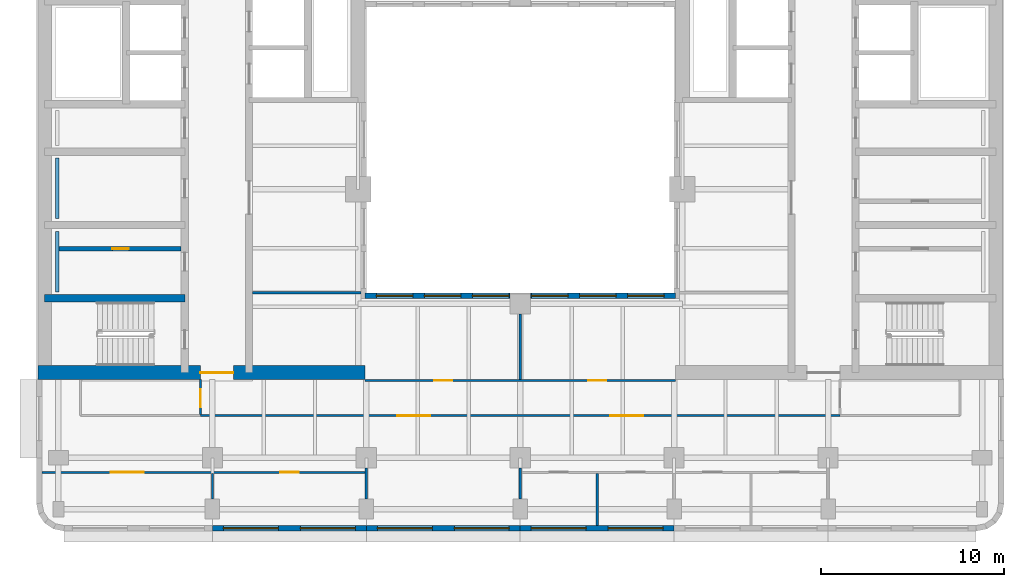
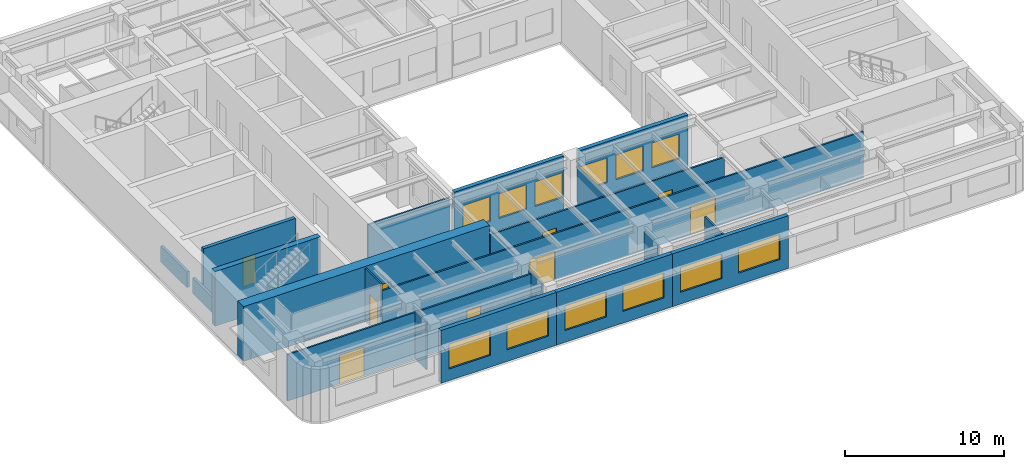
# One storey, part 3 of 11: 20 walls, 12 windows, 9 doors, 21 openings.
"""IFC4 building model written with IfcOpenShell, lengths in metres."""

from ifc_helpers import new_model, si_unit, direction, frame, frame_2d, origin, place, context, subcontext, project, spatial, rectangle, extrude, material, layer, layer_set, type_object, element, fill, save


model = new_model("IFC4")

# Units and contexts
model_context = context("Model", 3, precision=1e-05, world=origin(), true_north=direction((0.0, 1.0)))
body_context = subcontext(model_context, "Body", "Model", "MODEL_VIEW")
ifc_project = project(units=[si_unit("LENGTHUNIT", "METRE"), si_unit("AREAUNIT", "SQUARE_METRE"), si_unit("VOLUMEUNIT", "CUBIC_METRE"), si_unit("PLANEANGLEUNIT", "RADIAN"), si_unit("MASSUNIT", "GRAM", prefix="KILO")], contexts=[model_context])

# Site, building, storey
site_placement = place(None, origin())
site = spatial("IfcSite", under=ifc_project, at=site_placement, CompositionType="ELEMENT")
building_placement = place(site_placement, origin())
building = spatial("IfcBuilding", under=site, at=building_placement, Name="Claustro Exchange Tower", CompositionType="ELEMENT")
storey_placement = place(building_placement, frame((0.0, 0.0, 228.0)))
storey = spatial("IfcBuildingStorey", under=building, at=storey_placement, Name="L52", CompositionType="ELEMENT", Elevation=228.0)

# Wall
ifc_material_1 = material(Name="Laminated glass in aluminium frame", Category="aluminium")
ifc_layer_1 = layer(ifc_material_1, 0.1201171875)
ifc_layer_set_1 = layer_set([ifc_layer_1], Name="Laminated glass in aluminium frame")
wall_type_1 = type_object("IfcWallType", Name="P2 120 glazed partition", PredefinedType="PARTITIONING", material=ifc_layer_set_1)
wall_1_placement = place(storey_placement, frame((10.597900390625, 17.39990234375, 0.0), z_axis=(0.0, 0.0, 1.0), x_axis=(1.0, 0.0, 0.0)))
element("IfcWall", 1, at=wall_1_placement, inside=storey, type_object=wall_type_1, Name="Partition P2 L52", PredefinedType="PARTITIONING", context=body_context, shape_type="SweptSolid", body=[
    extrude(rectangle(XDim=5.904052734375, YDim=0.1201171875, at=frame_2d((2.9521484375, 0.0))), origin(), (0.0, 0.0, 1.0), 3.550048828125),
])

# Wall, openings, doors
wall_2_placement = place(storey_placement, frame((-0.902099609375, 7.60009765625, 0.0), z_axis=(0.0, 0.0, 1.0), x_axis=(1.0, 0.0, 0.0)))
wall_2 = element("IfcWall", 2, at=wall_2_placement, inside=storey, type_object=wall_type_1, Name="Partition P2 L52", PredefinedType="PARTITIONING", context=body_context, shape_type="SweptSolid", body=[
    extrude(rectangle(XDim=17.7021484375, YDim=0.1201171875, at=frame_2d((8.85107421875, 0.0))), origin(), (0.0, 0.0, 1.0), 3.56005859375),
])
opening_1_placement = place(wall_2_placement, frame((3.751953125, 0.0, 0.0)))
opening_1 = element("IfcOpeningElement", 3, at=opening_1_placement, cuts=wall_2, Name="Opening D2", PredefinedType="OPENING", context=body_context, shape_type="SweptSolid", body=[
    extrude(rectangle(XDim=1.800048828125, YDim=2.199951171875, at=frame_2d((0.89990234375, 1.10009765625))), frame((0.0, 0.070068359375, 0.0), z_axis=(0.0, -1.0, 0.0), x_axis=(1.0, 0.0, 0.0)), (0.0, 0.0, 1.0), 0.14013671875),
])
opening_2_placement = place(wall_2_placement, frame((13.001953125, 0.0, 0.0)))
opening_2 = element("IfcOpeningElement", 4, at=opening_2_placement, cuts=wall_2, Name="Opening D7", PredefinedType="OPENING", context=body_context, shape_type="SweptSolid", body=[
    extrude(rectangle(XDim=1.0, YDim=2.39990234375, at=frame_2d((0.5, 1.199951171875))), frame((0.0, 0.070068359375, 0.0), z_axis=(0.0, -1.0, 0.0), x_axis=(1.0, 0.0, 0.0)), (0.0, 0.0, 1.0), 0.14013671875),
])
ifc_material_2 = material(Name="Timber door, oak veneer", Category="wood")
door_type_1 = type_object("IfcDoorType", Name="D2 1800 x 2200 double door", OperationType="DOUBLE_DOOR_SINGLE_SWING", PredefinedType="DOOR", material=ifc_material_2)
door_1_placement = place(opening_1_placement, frame((1.800048828125, 0.0, 0.0), z_axis=(0.0, 0.0, 1.0), x_axis=(-1.0, 0.0, 0.0)))
door_1 = element("IfcDoor", 5, at=door_1_placement, inside=storey, type_object=door_type_1, Name="Double door D2 L52", OperationType="DOUBLE_DOOR_SINGLE_SWING", OverallHeight=2.199951171875, OverallWidth=1.800048828125, PredefinedType="DOOR", context=body_context, shape_type="SweptSolid", body=[
    extrude(rectangle(XDim=1.800048828125, YDim=2.199951171875, at=frame_2d((0.89990234375, 1.10009765625))), frame((0.0, 0.02490234375, 0.0), z_axis=(0.0, -1.0, 0.0), x_axis=(1.0, 0.0, 0.0)), (0.0, 0.0, 1.0), 0.050048828125),
])
fill(opening_1, door_1)
ifc_material_3 = material(Name="Glass door in aluminium frame", Category="aluminium")
door_type_2 = type_object("IfcDoorType", Name="D7 1000 x 2400 glazed door", OperationType="SINGLE_SWING_LEFT", PredefinedType="DOOR", material=ifc_material_3)
door_2_placement = place(opening_2_placement, frame((1.0, 0.0, 0.0), z_axis=(0.0, 0.0, 1.0), x_axis=(-1.0, 0.0, 0.0)))
door_2 = element("IfcDoor", 6, at=door_2_placement, inside=storey, type_object=door_type_2, Name="Door D7 L52", OperationType="SINGLE_SWING_RIGHT", OverallHeight=2.39990234375, OverallWidth=1.0, PredefinedType="DOOR", context=body_context, shape_type="SweptSolid", body=[
    extrude(rectangle(XDim=1.0, YDim=2.39990234375, at=frame_2d((0.5, 1.199951171875))), frame((0.0, 0.02490234375, 0.0), z_axis=(0.0, -1.0, 0.0), x_axis=(1.0, 0.0, 0.0)), (0.0, 0.0, 1.0), 0.050048828125),
])
fill(opening_2, door_2)

# Walls
wall_3_placement = place(storey_placement, frame((8.39990234375, 6.14892578125, 0.0), z_axis=(0.0, 0.0, 1.0), x_axis=(0.0, 1.0, 0.0)))
element("IfcWall", 7, at=wall_3_placement, inside=storey, type_object=wall_type_1, Name="Partition P2 L52", PredefinedType="PARTITIONING", context=body_context, shape_type="SweptSolid", body=[
    extrude(rectangle(XDim=1.39306640625, YDim=0.1201171875, at=frame_2d((0.696533203125, 0.0))), origin(), (0.0, 0.0, 1.0), 3.68994140625),
])
for number, where, z_axis, x_axis, name in (
    (8, (16.800048828125, 6.14892578125, 0.0), (0.0, 0.0, 1.0), (0.0, 1.0, 0.0), "Partition P2 L52"),
    (9, (25.199951171875, 6.14892578125, 0.0), (0.0, 0.0, 1.0), (0.0, 1.0, 0.0), "Partition P2 L52"),
):
    element("IfcWall", number, at=place(storey_placement, frame(where, z_axis=z_axis, x_axis=x_axis)), inside=storey, type_object=wall_type_1, Name=name, PredefinedType="PARTITIONING", context=body_context, shape_type="SweptSolid", body=[
        extrude(rectangle(XDim=1.703125, YDim=0.1201171875, at=frame_2d((0.8515625, 0.0))), origin(), (0.0, 0.0, 1.0), 3.68994140625),
    ])
wall_4_placement = place(storey_placement, frame((29.39990234375, 4.699951171875, 0.0), z_axis=(0.0, 0.0, 1.0), x_axis=(0.0, 1.0, 0.0)))
element("IfcWall", 10, at=wall_4_placement, inside=storey, type_object=wall_type_1, Name="Partition P2 L52", PredefinedType="PARTITIONING", context=body_context, shape_type="SweptSolid", body=[
    extrude(rectangle(XDim=2.842041015625, YDim=0.1201171875, at=frame_2d((1.4208984375, 0.0))), origin(), (0.0, 0.0, 1.0), 3.56005859375),
])

# Wall, openings, doors
wall_5_placement = place(storey_placement, frame((7.748046875, 10.699951171875, 0.0), z_axis=(0.0, 0.0, 1.0), x_axis=(1.0, 0.0, 0.0)))
wall_5 = element("IfcWall", 11, at=wall_5_placement, inside=storey, type_object=wall_type_1, Name="Partition P2 L52", PredefinedType="PARTITIONING", context=body_context, shape_type="SweptSolid", body=[
    extrude(rectangle(XDim=34.904052734375, YDim=0.1201171875, at=frame_2d((17.4521484375, 0.0))), origin(), (0.0, 0.0, 1.0), 3.550048828125),
])
opening_3_placement = place(wall_5_placement, frame((10.7353515625, 0.0, 0.0)))
opening_3 = element("IfcOpeningElement", 12, at=opening_3_placement, cuts=wall_5, Name="Opening D2", PredefinedType="OPENING", context=body_context, shape_type="SweptSolid", body=[
    extrude(rectangle(XDim=1.800048828125, YDim=2.199951171875, at=frame_2d((0.89990234375, 1.10009765625))), frame((0.0, 0.070068359375, 0.0), z_axis=(0.0, -1.0, 0.0), x_axis=(1.0, 0.0, 0.0)), (0.0, 0.0, 1.0), 0.14013671875),
])
opening_4_placement = place(wall_5_placement, frame((22.36865234375, 0.0, 0.0)))
opening_4 = element("IfcOpeningElement", 13, at=opening_4_placement, cuts=wall_5, Name="Opening D2", PredefinedType="OPENING", context=body_context, shape_type="SweptSolid", body=[
    extrude(rectangle(XDim=1.800048828125, YDim=2.199951171875, at=frame_2d((0.89990234375, 1.10009765625))), frame((0.0, 0.070068359375, 0.0), z_axis=(0.0, -1.0, 0.0), x_axis=(1.0, 0.0, 0.0)), (0.0, 0.0, 1.0), 0.14013671875),
])
door_3_placement = place(opening_3_placement, frame((1.800048828125, 0.0, 0.0), z_axis=(0.0, 0.0, 1.0), x_axis=(-1.0, 0.0, 0.0)))
door_3 = element("IfcDoor", 14, at=door_3_placement, inside=storey, type_object=door_type_1, Name="Double door D2 L52", OperationType="DOUBLE_DOOR_SINGLE_SWING", OverallHeight=2.199951171875, OverallWidth=1.800048828125, PredefinedType="DOOR", context=body_context, shape_type="SweptSolid", body=[
    extrude(rectangle(XDim=1.800048828125, YDim=2.199951171875, at=frame_2d((0.89990234375, 1.10009765625))), frame((0.0, 0.02490234375, 0.0), z_axis=(0.0, -1.0, 0.0), x_axis=(1.0, 0.0, 0.0)), (0.0, 0.0, 1.0), 0.050048828125),
])
fill(opening_3, door_3)
door_4_placement = place(opening_4_placement, frame((1.800048828125, 0.0, 0.0), z_axis=(0.0, 0.0, 1.0), x_axis=(-1.0, 0.0, 0.0)))
door_4 = element("IfcDoor", 15, at=door_4_placement, inside=storey, type_object=door_type_1, Name="Double door D2 L52", OperationType="DOUBLE_DOOR_SINGLE_SWING", OverallHeight=2.199951171875, OverallWidth=1.800048828125, PredefinedType="DOOR", context=body_context, shape_type="SweptSolid", body=[
    extrude(rectangle(XDim=1.800048828125, YDim=2.199951171875, at=frame_2d((0.89990234375, 1.10009765625))), frame((0.0, 0.02490234375, 0.0), z_axis=(0.0, -1.0, 0.0), x_axis=(1.0, 0.0, 0.0)), (0.0, 0.0, 1.0), 0.050048828125),
])
fill(opening_4, door_4)

# Wall, opening, door
wall_6_placement = place(storey_placement, frame((7.75, 10.758056640625, 0.0), z_axis=(0.0, 0.0, 1.0), x_axis=(0.0, 1.0, 0.0)))
wall_6 = element("IfcWall", 16, at=wall_6_placement, inside=storey, type_object=wall_type_1, Name="Partition P2 L52", PredefinedType="PARTITIONING", context=body_context, shape_type="SweptSolid", body=[
    extrude(rectangle(XDim=1.91796875, YDim=0.1201171875, at=frame_2d((0.958984375, 0.0))), origin(), (0.0, 0.0, 1.0), 4.050048828125),
])
opening_5_placement = place(wall_6_placement, frame((0.39208984375, 0.0, 0.0)))
opening_5 = element("IfcOpeningElement", 17, at=opening_5_placement, cuts=wall_6, Name="Opening D7", PredefinedType="OPENING", context=body_context, shape_type="SweptSolid", body=[
    extrude(rectangle(XDim=1.0, YDim=2.39990234375, at=frame_2d((0.5, 1.199951171875))), frame((0.0, 0.070068359375, 0.0), z_axis=(0.0, -1.0, 0.0), x_axis=(1.0, 0.0, 0.0)), (0.0, 0.0, 1.0), 0.14013671875),
])
door_5_placement = place(opening_5_placement, origin())
door_5 = element("IfcDoor", 18, at=door_5_placement, inside=storey, type_object=door_type_2, Name="Door D7 L52", OperationType="SINGLE_SWING_LEFT", OverallHeight=2.39990234375, OverallWidth=1.0, PredefinedType="DOOR", context=body_context, shape_type="SweptSolid", body=[
    extrude(rectangle(XDim=1.0, YDim=2.39990234375, at=frame_2d((0.5, 1.199951171875))), frame((0.0, 0.02490234375, 0.0), z_axis=(0.0, -1.0, 0.0), x_axis=(1.0, 0.0, 0.0)), (0.0, 0.0, 1.0), 0.050048828125),
])
fill(opening_5, door_5)

# Wall
wall_7_placement = place(storey_placement, frame((25.199951171875, 12.657958984375, 0.0), z_axis=(0.0, 0.0, 1.0), x_axis=(0.0, 1.0, 0.0)))
element("IfcWall", 19, at=wall_7_placement, inside=storey, type_object=wall_type_1, Name="Partition P2 L52", PredefinedType="PARTITIONING", context=body_context, shape_type="SweptSolid", body=[
    extrude(rectangle(XDim=3.593017578125, YDim=0.1201171875, at=frame_2d((1.79638671875, 0.0))), origin(), (0.0, 0.0, 1.0), 3.550048828125),
])

# Wall, openings, doors
wall_8_placement = place(storey_placement, frame((16.72509765625, 12.614990234375, 0.0), z_axis=(0.0, 0.0, 1.0), x_axis=(1.0, 0.0, 0.0)))
wall_8 = element("IfcWall", 20, at=wall_8_placement, inside=storey, type_object=wall_type_1, Name="Partition P2 L52", PredefinedType="PARTITIONING", context=body_context, shape_type="SweptSolid", body=[
    extrude(rectangle(XDim=16.949951171875, YDim=0.1201171875, at=frame_2d((8.47509765625, 0.0))), origin(), (0.0, 0.0, 1.0), 3.550048828125),
])
opening_6_placement = place(wall_8_placement, frame((3.77490234375, 0.0, 0.0)))
opening_6 = element("IfcOpeningElement", 21, at=opening_6_placement, cuts=wall_8, Name="Opening D7", PredefinedType="OPENING", context=body_context, shape_type="SweptSolid", body=[
    extrude(rectangle(XDim=1.0, YDim=2.39990234375, at=frame_2d((0.5, 1.199951171875))), frame((0.0, 0.070068359375, 0.0), z_axis=(0.0, -1.0, 0.0), x_axis=(1.0, 0.0, 0.0)), (0.0, 0.0, 1.0), 0.14013671875),
])
opening_7_placement = place(wall_8_placement, frame((12.175048828125, 0.0, 0.0)))
opening_7 = element("IfcOpeningElement", 22, at=opening_7_placement, cuts=wall_8, Name="Opening D7", PredefinedType="OPENING", context=body_context, shape_type="SweptSolid", body=[
    extrude(rectangle(XDim=1.0, YDim=2.39990234375, at=frame_2d((0.5, 1.199951171875))), frame((0.0, 0.070068359375, 0.0), z_axis=(0.0, -1.0, 0.0), x_axis=(1.0, 0.0, 0.0)), (0.0, 0.0, 1.0), 0.14013671875),
])
door_6_placement = place(opening_6_placement, origin())
door_6 = element("IfcDoor", 23, at=door_6_placement, inside=storey, type_object=door_type_2, Name="Door D7 L52", OperationType="SINGLE_SWING_RIGHT", OverallHeight=2.39990234375, OverallWidth=1.0, PredefinedType="DOOR", context=body_context, shape_type="SweptSolid", body=[
    extrude(rectangle(XDim=1.0, YDim=2.39990234375, at=frame_2d((0.5, 1.199951171875))), frame((0.0, 0.02490234375, 0.0), z_axis=(0.0, -1.0, 0.0), x_axis=(1.0, 0.0, 0.0)), (0.0, 0.0, 1.0), 0.050048828125),
])
fill(opening_6, door_6)
door_7_placement = place(opening_7_placement, origin())
door_7 = element("IfcDoor", 24, at=door_7_placement, inside=storey, type_object=door_type_2, Name="Door D7 L52", OperationType="SINGLE_SWING_RIGHT", OverallHeight=2.39990234375, OverallWidth=1.0, PredefinedType="DOOR", context=body_context, shape_type="SweptSolid", body=[
    extrude(rectangle(XDim=1.0, YDim=2.39990234375, at=frame_2d((0.5, 1.199951171875))), frame((0.0, 0.02490234375, 0.0), z_axis=(0.0, -1.0, 0.0), x_axis=(1.0, 0.0, 0.0)), (0.0, 0.0, 1.0), 0.050048828125),
])
fill(opening_7, door_7)

# Wall, opening, door
ifc_material_4 = material(Name="Concrete blockwork, rendered", Category="masonry")
ifc_layer_2 = layer(ifc_material_4, 0.25)
ifc_layer_set_2 = layer_set([ifc_layer_2], Name="Concrete blockwork, rendered")
wall_type_2 = type_object("IfcWallType", Name="P4 250 blockwork wall", PredefinedType="PARTITIONING", material=ifc_layer_set_2)
wall_9_placement = place(storey_placement, frame((0.02490234375, 19.800048828125, 0.0), z_axis=(0.0, 0.0, 1.0), x_axis=(1.0, 0.0, 0.0)))
wall_9 = element("IfcWall", 25, at=wall_9_placement, inside=storey, type_object=wall_type_2, Name="Partition P4 L52", PredefinedType="PARTITIONING", context=body_context, shape_type="SweptSolid", body=[
    extrude(rectangle(XDim=6.675048828125, YDim=0.25, at=frame_2d((3.33740234375, 0.0))), origin(), (0.0, 0.0, 1.0), 4.0),
])
opening_8_placement = place(wall_9_placement, frame((2.91259765625, 0.0, 0.0)))
opening_8 = element("IfcOpeningElement", 26, at=opening_8_placement, cuts=wall_9, Name="Opening D5", PredefinedType="OPENING", context=body_context, shape_type="SweptSolid", body=[
    extrude(rectangle(XDim=0.89990234375, YDim=2.199951171875, at=frame_2d((0.449951171875, 1.10009765625))), frame((0.0, 0.135009765625, 0.0), z_axis=(0.0, -1.0, 0.0), x_axis=(1.0, 0.0, 0.0)), (0.0, 0.0, 1.0), 0.27001953125),
])
ifc_material_5 = material(Name="Steel door, painted", Category="steel")
door_type_3 = type_object("IfcDoorType", Name="D5 900 x 2200 store door", OperationType="SINGLE_SWING_LEFT", PredefinedType="DOOR", material=ifc_material_5)
door_8_placement = place(opening_8_placement, origin())
door_8 = element("IfcDoor", 27, at=door_8_placement, inside=storey, type_object=door_type_3, Name="Store door D5 L52", OperationType="SINGLE_SWING_RIGHT", OverallHeight=2.199951171875, OverallWidth=0.89990234375, PredefinedType="DOOR", context=body_context, shape_type="SweptSolid", body=[
    extrude(rectangle(XDim=0.89990234375, YDim=2.199951171875, at=frame_2d((0.449951171875, 1.10009765625))), frame((0.0, 0.02490234375, 0.0), z_axis=(0.0, -1.0, 0.0), x_axis=(1.0, 0.0, 0.0)), (0.0, 0.0, 1.0), 0.050048828125),
])
fill(opening_8, door_8)

# Wall, openings, windows
ifc_material_6 = material(Name="Concrete HA-40 (C40/50), precast, white cement, acid-etched", Category="concrete")
ifc_layer_3 = layer(ifc_material_6, 0.300048828125)
ifc_layer_set_3 = layer_set([ifc_layer_3], Name="Concrete HA-40 (C40/50), precast, white cement, acid-etched")
wall_type_3 = type_object("IfcWallType", Name="PC1 300 precast concrete pier panel", PredefinedType="SOLIDWALL", material=ifc_layer_set_3)
wall_10_placement = place(storey_placement, frame((33.60009765625, 4.550048828125, 0.0), z_axis=(0.0, 0.0, 1.0), x_axis=(-1.0, 0.0, 0.0)))
wall_10 = element("IfcWall", 28, at=wall_10_placement, inside=storey, type_object=wall_type_3, Name="Precast pier panel PC1 L52", PredefinedType="SOLIDWALL", context=body_context, shape_type="SweptSolid", body=[
    extrude(rectangle(XDim=8.400146484375, YDim=0.300048828125, at=frame_2d((4.2001953125, 0.0))), origin(), (0.0, 0.0, 1.0), 4.050048828125),
])
opening_9_placement = place(wall_10_placement, frame((0.60009765625, 0.0, 0.89990234375)))
opening_9 = element("IfcOpeningElement", 29, at=opening_9_placement, cuts=wall_10, Name="Opening W1", PredefinedType="OPENING", context=body_context, shape_type="SweptSolid", body=[
    extrude(rectangle(XDim=3.0, YDim=1.89990234375, at=frame_2d((1.5, 0.949951171875))), frame((0.0, 0.159912109375, 0.0), z_axis=(0.0, -1.0, 0.0), x_axis=(1.0, 0.0, 0.0)), (0.0, 0.0, 1.0), 0.320068359375),
])
opening_10_placement = place(wall_10_placement, frame((4.800048828125, 0.0, 0.89990234375)))
opening_10 = element("IfcOpeningElement", 30, at=opening_10_placement, cuts=wall_10, Name="Opening W1", PredefinedType="OPENING", context=body_context, shape_type="SweptSolid", body=[
    extrude(rectangle(XDim=3.0, YDim=1.89990234375, at=frame_2d((1.5, 0.949951171875))), frame((0.0, 0.159912109375, 0.0), z_axis=(0.0, -1.0, 0.0), x_axis=(1.0, 0.0, 0.0)), (0.0, 0.0, 1.0), 0.320068359375),
])
ifc_material_7 = material(Name="Aluminium frame, clear double glazing", Category="aluminium")
window_type_1 = type_object("IfcWindowType", Name="W1 3000 x 1900 window", PartitioningType="SINGLE_PANEL", PredefinedType="WINDOW", material=ifc_material_7)
window_1_placement = place(opening_9_placement, origin())
window_1 = element("IfcWindow", 31, at=window_1_placement, inside=storey, type_object=window_type_1, Name="Window W1 L52", OverallHeight=1.89990234375, OverallWidth=3.0, PartitioningType="SINGLE_PANEL", PredefinedType="WINDOW", context=body_context, shape_type="SweptSolid", body=[
    extrude(rectangle(XDim=3.0, YDim=1.89990234375, at=frame_2d((1.5, 0.949951171875))), frame((0.0, 0.030029296875, 0.0), z_axis=(0.0, -1.0, 0.0), x_axis=(1.0, 0.0, 0.0)), (0.0, 0.0, 1.0), 0.06005859375),
])
fill(opening_9, window_1)
window_2_placement = place(opening_10_placement, origin())
window_2 = element("IfcWindow", 32, at=window_2_placement, inside=storey, type_object=window_type_1, Name="Window W1 L52", OverallHeight=1.89990234375, OverallWidth=3.0, PartitioningType="SINGLE_PANEL", PredefinedType="WINDOW", context=body_context, shape_type="SweptSolid", body=[
    extrude(rectangle(XDim=3.0, YDim=1.89990234375, at=frame_2d((1.5, 0.949951171875))), frame((0.0, 0.030029296875, 0.0), z_axis=(0.0, -1.0, 0.0), x_axis=(1.0, 0.0, 0.0)), (0.0, 0.0, 1.0), 0.06005859375),
])
fill(opening_10, window_2)

wall_11_placement = place(storey_placement, frame((25.199951171875, 4.550048828125, 0.0), z_axis=(0.0, 0.0, 1.0), x_axis=(-1.0, 0.0, 0.0)))
wall_11 = element("IfcWall", 33, at=wall_11_placement, inside=storey, type_object=wall_type_3, Name="Precast pier panel PC1 L52", PredefinedType="SOLIDWALL", context=body_context, shape_type="SweptSolid", body=[
    extrude(rectangle(XDim=8.39990234375, YDim=0.300048828125, at=frame_2d((4.199951171875, 0.0))), origin(), (0.0, 0.0, 1.0), 4.050048828125),
])
opening_11_placement = place(wall_11_placement, frame((0.60009765625, 0.0, 0.89990234375)))
opening_11 = element("IfcOpeningElement", 34, at=opening_11_placement, cuts=wall_11, Name="Opening W1", PredefinedType="OPENING", context=body_context, shape_type="SweptSolid", body=[
    extrude(rectangle(XDim=3.0, YDim=1.89990234375, at=frame_2d((1.5, 0.949951171875))), frame((0.0, 0.159912109375, 0.0), z_axis=(0.0, -1.0, 0.0), x_axis=(1.0, 0.0, 0.0)), (0.0, 0.0, 1.0), 0.320068359375),
])
opening_12_placement = place(wall_11_placement, frame((4.800048828125, 0.0, 0.89990234375)))
opening_12 = element("IfcOpeningElement", 35, at=opening_12_placement, cuts=wall_11, Name="Opening W1", PredefinedType="OPENING", context=body_context, shape_type="SweptSolid", body=[
    extrude(rectangle(XDim=3.0, YDim=1.89990234375, at=frame_2d((1.5, 0.949951171875))), frame((0.0, 0.159912109375, 0.0), z_axis=(0.0, -1.0, 0.0), x_axis=(1.0, 0.0, 0.0)), (0.0, 0.0, 1.0), 0.320068359375),
])
window_3_placement = place(opening_11_placement, origin())
window_3 = element("IfcWindow", 36, at=window_3_placement, inside=storey, type_object=window_type_1, Name="Window W1 L52", OverallHeight=1.89990234375, OverallWidth=3.0, PartitioningType="SINGLE_PANEL", PredefinedType="WINDOW", context=body_context, shape_type="SweptSolid", body=[
    extrude(rectangle(XDim=3.0, YDim=1.89990234375, at=frame_2d((1.5, 0.949951171875))), frame((0.0, 0.030029296875, 0.0), z_axis=(0.0, -1.0, 0.0), x_axis=(1.0, 0.0, 0.0)), (0.0, 0.0, 1.0), 0.06005859375),
])
fill(opening_11, window_3)
window_4_placement = place(opening_12_placement, origin())
window_4 = element("IfcWindow", 37, at=window_4_placement, inside=storey, type_object=window_type_1, Name="Window W1 L52", OverallHeight=1.89990234375, OverallWidth=3.0, PartitioningType="SINGLE_PANEL", PredefinedType="WINDOW", context=body_context, shape_type="SweptSolid", body=[
    extrude(rectangle(XDim=3.0, YDim=1.89990234375, at=frame_2d((1.5, 0.949951171875))), frame((0.0, 0.030029296875, 0.0), z_axis=(0.0, -1.0, 0.0), x_axis=(1.0, 0.0, 0.0)), (0.0, 0.0, 1.0), 0.06005859375),
])
fill(opening_12, window_4)

wall_12_placement = place(storey_placement, frame((16.800048828125, 4.550048828125, 0.0), z_axis=(0.0, 0.0, 1.0), x_axis=(-1.0, 0.0, 0.0)))
wall_12 = element("IfcWall", 38, at=wall_12_placement, inside=storey, type_object=wall_type_3, Name="Precast pier panel PC1 L52", PredefinedType="SOLIDWALL", context=body_context, shape_type="SweptSolid", body=[
    extrude(rectangle(XDim=8.400146484375, YDim=0.300048828125, at=frame_2d((4.2001953125, 0.0))), origin(), (0.0, 0.0, 1.0), 4.050048828125),
])
opening_13_placement = place(wall_12_placement, frame((0.60009765625, 0.0, 0.89990234375)))
opening_13 = element("IfcOpeningElement", 39, at=opening_13_placement, cuts=wall_12, Name="Opening W1", PredefinedType="OPENING", context=body_context, shape_type="SweptSolid", body=[
    extrude(rectangle(XDim=3.0, YDim=1.89990234375, at=frame_2d((1.5, 0.949951171875))), frame((0.0, 0.159912109375, 0.0), z_axis=(0.0, -1.0, 0.0), x_axis=(1.0, 0.0, 0.0)), (0.0, 0.0, 1.0), 0.320068359375),
])
opening_14_placement = place(wall_12_placement, frame((4.800048828125, 0.0, 0.89990234375)))
opening_14 = element("IfcOpeningElement", 40, at=opening_14_placement, cuts=wall_12, Name="Opening W1", PredefinedType="OPENING", context=body_context, shape_type="SweptSolid", body=[
    extrude(rectangle(XDim=3.0, YDim=1.89990234375, at=frame_2d((1.5, 0.949951171875))), frame((0.0, 0.159912109375, 0.0), z_axis=(0.0, -1.0, 0.0), x_axis=(1.0, 0.0, 0.0)), (0.0, 0.0, 1.0), 0.320068359375),
])
window_5_placement = place(opening_13_placement, origin())
window_5 = element("IfcWindow", 41, at=window_5_placement, inside=storey, type_object=window_type_1, Name="Window W1 L52", OverallHeight=1.89990234375, OverallWidth=3.0, PartitioningType="SINGLE_PANEL", PredefinedType="WINDOW", context=body_context, shape_type="SweptSolid", body=[
    extrude(rectangle(XDim=3.0, YDim=1.89990234375, at=frame_2d((1.5, 0.949951171875))), frame((0.0, 0.030029296875, 0.0), z_axis=(0.0, -1.0, 0.0), x_axis=(1.0, 0.0, 0.0)), (0.0, 0.0, 1.0), 0.06005859375),
])
fill(opening_13, window_5)
window_6_placement = place(opening_14_placement, origin())
window_6 = element("IfcWindow", 42, at=window_6_placement, inside=storey, type_object=window_type_1, Name="Window W1 L52", OverallHeight=1.89990234375, OverallWidth=3.0, PartitioningType="SINGLE_PANEL", PredefinedType="WINDOW", context=body_context, shape_type="SweptSolid", body=[
    extrude(rectangle(XDim=3.0, YDim=1.89990234375, at=frame_2d((1.5, 0.949951171875))), frame((0.0, 0.030029296875, 0.0), z_axis=(0.0, -1.0, 0.0), x_axis=(1.0, 0.0, 0.0)), (0.0, 0.0, 1.0), 0.06005859375),
])
fill(opening_14, window_6)

wall_13_placement = place(storey_placement, frame((16.72509765625, 17.25, 0.0), z_axis=(0.0, 0.0, 1.0), x_axis=(1.0, 0.0, 0.0)))
wall_13 = element("IfcWall", 43, at=wall_13_placement, inside=storey, type_object=wall_type_3, Name="Precast pier panel PC1 L52", PredefinedType="SOLIDWALL", context=body_context, shape_type="SweptSolid", body=[
    extrude(rectangle(XDim=7.9248046875, YDim=0.300048828125, at=frame_2d((3.96240234375, 0.0))), origin(), (0.0, 0.0, 1.0), 4.050048828125),
])
opening_15_placement = place(wall_13_placement, frame((0.61865234375, 0.0, 0.89990234375)))
opening_15 = element("IfcOpeningElement", 44, at=opening_15_placement, cuts=wall_13, Name="Opening W4", PredefinedType="OPENING", context=body_context, shape_type="SweptSolid", body=[
    extrude(rectangle(XDim=2.0, YDim=1.89990234375, at=frame_2d((1.0, 0.949951171875))), frame((0.0, 0.159912109375, 0.0), z_axis=(0.0, -1.0, 0.0), x_axis=(1.0, 0.0, 0.0)), (0.0, 0.0, 1.0), 0.320068359375),
])
opening_16_placement = place(wall_13_placement, frame((3.237548828125, 0.0, 0.89990234375)))
opening_16 = element("IfcOpeningElement", 45, at=opening_16_placement, cuts=wall_13, Name="Opening W4", PredefinedType="OPENING", context=body_context, shape_type="SweptSolid", body=[
    extrude(rectangle(XDim=2.0, YDim=1.89990234375, at=frame_2d((1.0, 0.949951171875))), frame((0.0, 0.159912109375, 0.0), z_axis=(0.0, -1.0, 0.0), x_axis=(1.0, 0.0, 0.0)), (0.0, 0.0, 1.0), 0.320068359375),
])
opening_17_placement = place(wall_13_placement, frame((5.856201171875, 0.0, 0.89990234375)))
opening_17 = element("IfcOpeningElement", 46, at=opening_17_placement, cuts=wall_13, Name="Opening W4", PredefinedType="OPENING", context=body_context, shape_type="SweptSolid", body=[
    extrude(rectangle(XDim=2.0, YDim=1.89990234375, at=frame_2d((1.0, 0.949951171875))), frame((0.0, 0.159912109375, 0.0), z_axis=(0.0, -1.0, 0.0), x_axis=(1.0, 0.0, 0.0)), (0.0, 0.0, 1.0), 0.320068359375),
])
ifc_material_8 = material(Name="Aluminium frame, clear double glazing", Category="aluminium")
window_type_2 = type_object("IfcWindowType", Name="W4 2000 x 1900 light well window", PartitioningType="SINGLE_PANEL", PredefinedType="WINDOW", material=ifc_material_8)
window_7_placement = place(opening_15_placement, origin())
window_7 = element("IfcWindow", 47, at=window_7_placement, inside=storey, type_object=window_type_2, Name="Window W4 L52", OverallHeight=1.89990234375, OverallWidth=2.0, PartitioningType="SINGLE_PANEL", PredefinedType="WINDOW", context=body_context, shape_type="SweptSolid", body=[
    extrude(rectangle(XDim=2.0, YDim=1.89990234375, at=frame_2d((1.0, 0.949951171875))), frame((0.0, 0.030029296875, 0.0), z_axis=(0.0, -1.0, 0.0), x_axis=(1.0, 0.0, 0.0)), (0.0, 0.0, 1.0), 0.06005859375),
])
fill(opening_15, window_7)
window_8_placement = place(opening_16_placement, origin())
window_8 = element("IfcWindow", 48, at=window_8_placement, inside=storey, type_object=window_type_2, Name="Window W4 L52", OverallHeight=1.89990234375, OverallWidth=2.0, PartitioningType="SINGLE_PANEL", PredefinedType="WINDOW", context=body_context, shape_type="SweptSolid", body=[
    extrude(rectangle(XDim=2.0, YDim=1.89990234375, at=frame_2d((1.0, 0.949951171875))), frame((0.0, 0.030029296875, 0.0), z_axis=(0.0, -1.0, 0.0), x_axis=(1.0, 0.0, 0.0)), (0.0, 0.0, 1.0), 0.06005859375),
])
fill(opening_16, window_8)
window_9_placement = place(opening_17_placement, origin())
window_9 = element("IfcWindow", 49, at=window_9_placement, inside=storey, type_object=window_type_2, Name="Window W4 L52", OverallHeight=1.89990234375, OverallWidth=2.0, PartitioningType="SINGLE_PANEL", PredefinedType="WINDOW", context=body_context, shape_type="SweptSolid", body=[
    extrude(rectangle(XDim=2.0, YDim=1.89990234375, at=frame_2d((1.0, 0.949951171875))), frame((0.0, 0.030029296875, 0.0), z_axis=(0.0, -1.0, 0.0), x_axis=(1.0, 0.0, 0.0)), (0.0, 0.0, 1.0), 0.06005859375),
])
fill(opening_17, window_9)

wall_14_placement = place(storey_placement, frame((25.75, 17.25, 0.0), z_axis=(0.0, 0.0, 1.0), x_axis=(1.0, 0.0, 0.0)))
wall_14 = element("IfcWall", 50, at=wall_14_placement, inside=storey, type_object=wall_type_3, Name="Precast pier panel PC1 L52", PredefinedType="SOLIDWALL", context=body_context, shape_type="SweptSolid", body=[
    extrude(rectangle(XDim=7.925048828125, YDim=0.300048828125, at=frame_2d((3.96240234375, 0.0))), origin(), (0.0, 0.0, 1.0), 4.050048828125),
])
opening_18_placement = place(wall_14_placement, frame((0.068603515625, 0.0, 0.89990234375)))
opening_18 = element("IfcOpeningElement", 51, at=opening_18_placement, cuts=wall_14, Name="Opening W4", PredefinedType="OPENING", context=body_context, shape_type="SweptSolid", body=[
    extrude(rectangle(XDim=2.0, YDim=1.89990234375, at=frame_2d((1.0, 0.949951171875))), frame((0.0, 0.159912109375, 0.0), z_axis=(0.0, -1.0, 0.0), x_axis=(1.0, 0.0, 0.0)), (0.0, 0.0, 1.0), 0.320068359375),
])
opening_19_placement = place(wall_14_placement, frame((2.6875, 0.0, 0.89990234375)))
opening_19 = element("IfcOpeningElement", 52, at=opening_19_placement, cuts=wall_14, Name="Opening W4", PredefinedType="OPENING", context=body_context, shape_type="SweptSolid", body=[
    extrude(rectangle(XDim=2.0, YDim=1.89990234375, at=frame_2d((1.0, 0.949951171875))), frame((0.0, 0.159912109375, 0.0), z_axis=(0.0, -1.0, 0.0), x_axis=(1.0, 0.0, 0.0)), (0.0, 0.0, 1.0), 0.320068359375),
])
opening_20_placement = place(wall_14_placement, frame((5.30615234375, 0.0, 0.89990234375)))
opening_20 = element("IfcOpeningElement", 53, at=opening_20_placement, cuts=wall_14, Name="Opening W4", PredefinedType="OPENING", context=body_context, shape_type="SweptSolid", body=[
    extrude(rectangle(XDim=2.0, YDim=1.89990234375, at=frame_2d((1.0, 0.949951171875))), frame((0.0, 0.159912109375, 0.0), z_axis=(0.0, -1.0, 0.0), x_axis=(1.0, 0.0, 0.0)), (0.0, 0.0, 1.0), 0.320068359375),
])
window_10_placement = place(opening_18_placement, origin())
window_10 = element("IfcWindow", 54, at=window_10_placement, inside=storey, type_object=window_type_2, Name="Window W4 L52", OverallHeight=1.89990234375, OverallWidth=2.0, PartitioningType="SINGLE_PANEL", PredefinedType="WINDOW", context=body_context, shape_type="SweptSolid", body=[
    extrude(rectangle(XDim=2.0, YDim=1.89990234375, at=frame_2d((1.0, 0.949951171875))), frame((0.0, 0.030029296875, 0.0), z_axis=(0.0, -1.0, 0.0), x_axis=(1.0, 0.0, 0.0)), (0.0, 0.0, 1.0), 0.06005859375),
])
fill(opening_18, window_10)
window_11_placement = place(opening_19_placement, origin())
window_11 = element("IfcWindow", 55, at=window_11_placement, inside=storey, type_object=window_type_2, Name="Window W4 L52", OverallHeight=1.89990234375, OverallWidth=2.0, PartitioningType="SINGLE_PANEL", PredefinedType="WINDOW", context=body_context, shape_type="SweptSolid", body=[
    extrude(rectangle(XDim=2.0, YDim=1.89990234375, at=frame_2d((1.0, 0.949951171875))), frame((0.0, 0.030029296875, 0.0), z_axis=(0.0, -1.0, 0.0), x_axis=(1.0, 0.0, 0.0)), (0.0, 0.0, 1.0), 0.06005859375),
])
fill(opening_19, window_11)
window_12_placement = place(opening_20_placement, origin())
window_12 = element("IfcWindow", 56, at=window_12_placement, inside=storey, type_object=window_type_2, Name="Window W4 L52", OverallHeight=1.89990234375, OverallWidth=2.0, PartitioningType="SINGLE_PANEL", PredefinedType="WINDOW", context=body_context, shape_type="SweptSolid", body=[
    extrude(rectangle(XDim=2.0, YDim=1.89990234375, at=frame_2d((1.0, 0.949951171875))), frame((0.0, 0.030029296875, 0.0), z_axis=(0.0, -1.0, 0.0), x_axis=(1.0, 0.0, 0.0)), (0.0, 0.0, 1.0), 0.06005859375),
])
fill(opening_20, window_12)

# Walls
ifc_material_9 = material(Name="Gypsum board on steel studs, tiled", Category="steel")
ifc_layer_4 = layer(ifc_material_9, 0.199951171875)
ifc_layer_set_4 = layer_set([ifc_layer_4], Name="Gypsum board on steel studs, tiled")
wall_type_4 = type_object("IfcWallType", Name="PW1 200 WC duct wall", PredefinedType="PLUMBINGWALL", material=ifc_layer_set_4)
for number, where, z_axis, x_axis, name in (
    (57, (-0.074951171875, 17.449951171875, 0.0), (0.0, 0.0, 1.0), (0.0, 1.0, 0.0), "WC duct wall PW1 L52"),
    (58, (-0.074951171875, 21.449951171875, 0.0), (0.0, 0.0, 1.0), (0.0, 1.0, 0.0), "WC duct wall PW1 L52"),
):
    element("IfcWall", number, at=place(storey_placement, frame(where, z_axis=z_axis, x_axis=x_axis)), inside=storey, type_object=wall_type_4, Name=name, PredefinedType="PLUMBINGWALL", context=body_context, shape_type="SweptSolid", body=[
        extrude(rectangle(XDim=3.300048828125, YDim=0.199951171875, at=frame_2d((1.64990234375, 0.0))), origin(), (0.0, 0.0, 1.0), 1.199951171875),
    ])

# Wall, opening, door
ifc_material_10 = material(Name="Concrete HA-70 (C70/85)", Category="concrete")
ifc_layer_5 = layer(ifc_material_10, 0.75)
ifc_layer_set_5 = layer_set([ifc_layer_5], Name="Concrete HA-70 (C70/85)")
wall_type_5 = type_object("IfcWallType", Name="SW2 750 core shear wall", PredefinedType="SHEAR", material=ifc_layer_set_5)
wall_15_placement = place(storey_placement, frame((-1.125, 13.050048828125, 0.0), z_axis=(0.0, 0.0, 1.0), x_axis=(1.0, 0.0, 0.0)))
wall_15 = element("IfcWall", 59, at=wall_15_placement, inside=storey, type_object=wall_type_5, Name="Core wall SW2 W core S face L52", PredefinedType="SHEAR", context=body_context, shape_type="SweptSolid", body=[
    extrude(rectangle(XDim=17.85009765625, YDim=0.75, at=frame_2d((8.925048828125, 0.0))), origin(), (0.0, 0.0, 1.0), 4.199951171875),
])
opening_21_placement = place(wall_15_placement, frame((8.875, 0.0, 0.0)))
opening_21 = element("IfcOpeningElement", 60, at=opening_21_placement, cuts=wall_15, Name="Opening D3", PredefinedType="OPENING", context=body_context, shape_type="SweptSolid", body=[
    extrude(rectangle(XDim=1.800048828125, YDim=2.39990234375, at=frame_2d((0.89990234375, 1.199951171875))), frame((0.0, 0.385009765625, 0.0), z_axis=(0.0, -1.0, 0.0), x_axis=(1.0, 0.0, 0.0)), (0.0, 0.0, 1.0), 0.77001953125),
])
ifc_material_11 = material(Name="Steel fire door, painted", Category="steel")
door_type_4 = type_object("IfcDoorType", Name="D3 1800 x 2400 fire-rated lobby double door", OperationType="DOUBLE_DOOR_SINGLE_SWING", PredefinedType="DOOR", material=ifc_material_11)
door_9_placement = place(opening_21_placement, origin())
door_9 = element("IfcDoor", 61, at=door_9_placement, inside=storey, type_object=door_type_4, Name="Lift lobby door D3 L52", OperationType="DOUBLE_DOOR_SINGLE_SWING", OverallHeight=2.39990234375, OverallWidth=1.800048828125, PredefinedType="DOOR", context=body_context, shape_type="SweptSolid", body=[
    extrude(rectangle(XDim=1.800048828125, YDim=2.39990234375, at=frame_2d((0.89990234375, 1.199951171875))), frame((0.0, 0.02490234375, 0.0), z_axis=(0.0, -1.0, 0.0), x_axis=(1.0, 0.0, 0.0)), (0.0, 0.0, 1.0), 0.050048828125),
])
fill(opening_21, door_9)

# Wall
ifc_material_12 = material(Name="Concrete HA-50 (C50/60)", Category="concrete")
ifc_layer_6 = layer(ifc_material_12, 0.39990234375)
ifc_layer_set_6 = layer_set([ifc_layer_6], Name="Concrete HA-50 (C50/60)")
wall_type_6 = type_object("IfcWallType", Name="SW4 400 internal core wall", PredefinedType="SHEAR", material=ifc_layer_set_6)
wall_16_placement = place(storey_placement, frame((-0.75, 17.10009765625, 0.0), z_axis=(0.0, 0.0, 1.0), x_axis=(1.0, 0.0, 0.0)))
element("IfcWall", 62, at=wall_16_placement, inside=storey, type_object=wall_type_6, Name="Internal core wall SW4 W core L52", PredefinedType="SHEAR", context=body_context, shape_type="SweptSolid", body=[
    extrude(rectangle(XDim=7.64990234375, YDim=0.39990234375, at=frame_2d((3.824951171875, 0.0))), origin(), (0.0, 0.0, 1.0), 4.199951171875),
])

save(model, "model.ifc")
